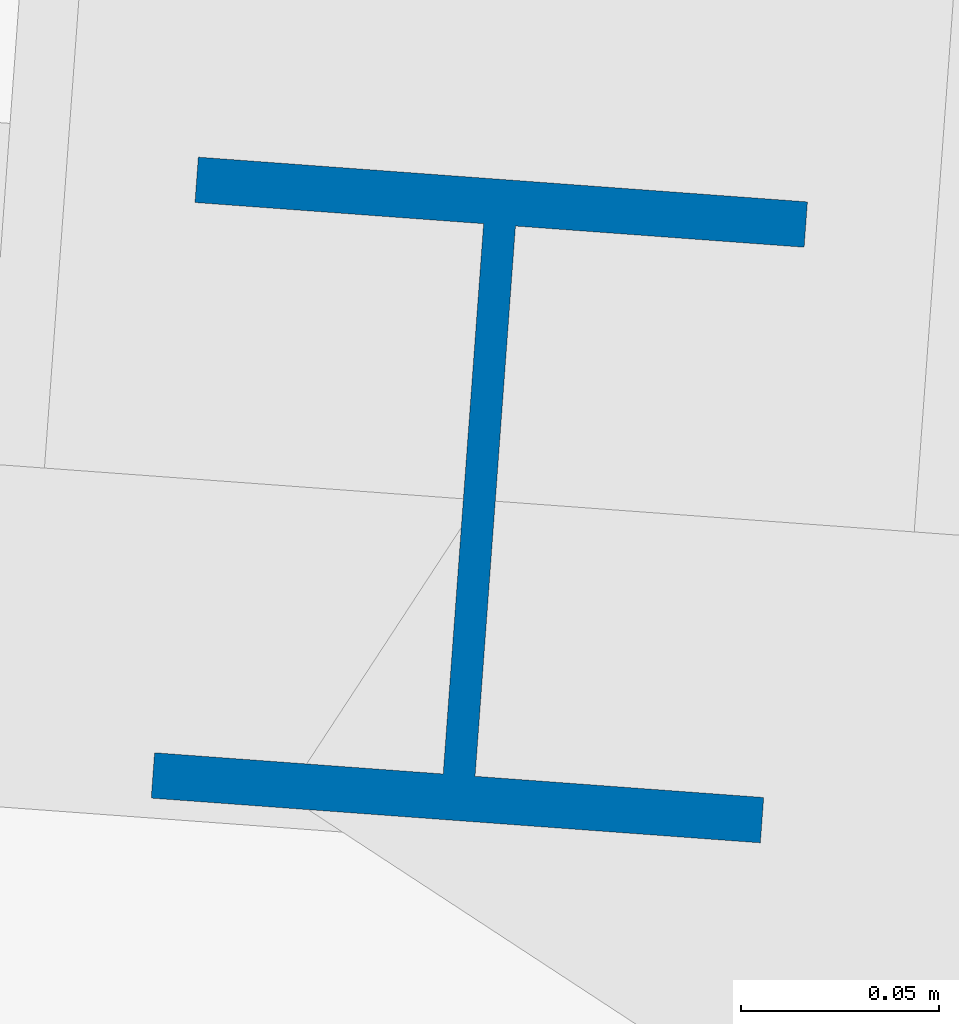
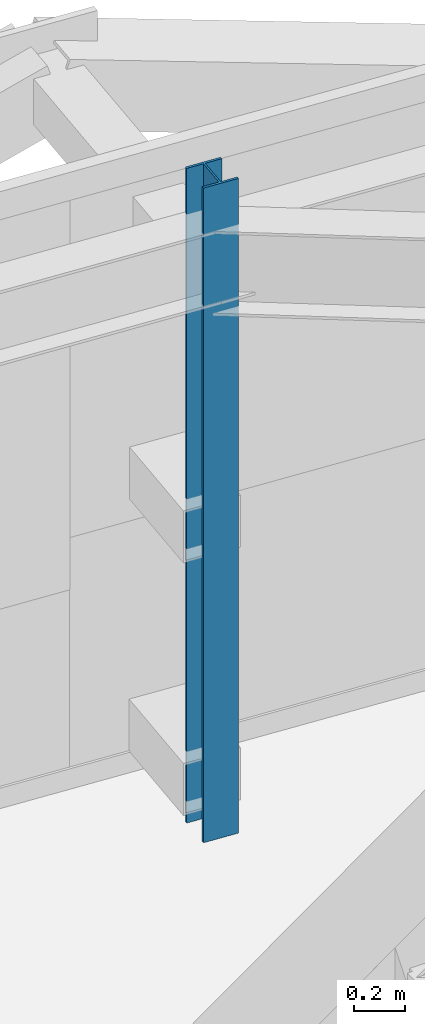
# One storey, part 8 of 34: 1 column.
"""IFC4 building model written with IfcOpenShell, lengths in metres."""

from ifc_helpers import new_model, si_unit, direction, frame, origin, origin_2d, place, context, subcontext, project, spatial, i_section, extrude, source, transform, mapped, material, material_profile, profile_set, type_object, element, save


model = new_model("IFC4")

# Units and contexts
model_context = context("Model", 3, precision=1e-05, world=origin(), true_north=direction((0.0, 1.0)))
body_context = subcontext(model_context, "Body", "Model", "MODEL_VIEW")
ifc_project = project(units=[si_unit("LENGTHUNIT", "METRE"), si_unit("AREAUNIT", "SQUARE_METRE"), si_unit("VOLUMEUNIT", "CUBIC_METRE"), si_unit("PLANEANGLEUNIT", "RADIAN"), si_unit("MASSUNIT", "GRAM", prefix="KILO")], contexts=[model_context])

# Site, building, storey
site_placement = place(None, origin())
site = spatial("IfcSite", under=ifc_project, at=site_placement, CompositionType="ELEMENT")
building_placement = place(site_placement, origin())
building = spatial("IfcBuilding", under=site, at=building_placement, Name="Taldren Reach Tower", CompositionType="ELEMENT")
storey_placement = place(building_placement, frame((0.0, 0.0, 239.75)))
storey = spatial("IfcBuildingStorey", under=building, at=storey_placement, Name="L73", CompositionType="ELEMENT", Elevation=239.75)

# Column
ifc_material = material(Name="Steel Gr 350 (350PLUS)", Category="steel")
ifc_material_profile = material_profile(ifc_material, i_section(OverallWidth=0.154052734375, OverallDepth=0.162109375, WebThickness=0.008056640625, FlangeThickness=0.011474609375, at=origin_2d()), Name="150UC37.2")
ifc_profile_set = profile_set([ifc_material_profile], Name="Steel Gr 350 (350PLUS)")
column_type = type_object("IfcColumnType", Name="COL-UC150", PredefinedType="COLUMN", material=ifc_profile_set)
shared_shape = source(origin(), body_context, "Body", "SweptSolid", [
    extrude(i_section(OverallWidth=0.154052734375, OverallDepth=0.162109375, WebThickness=0.008056640625, FlangeThickness=0.011474609375, at=origin_2d()), origin(), (0.0, 0.0, 1.0), 3.14990234375),
])
column_placement = place(storey_placement, frame((47.199462890625, 34.487548828125, 0.0), z_axis=(0.0, 0.0, 1.0), x_axis=(0.997314477224, -0.073238197128, 0.0)))
element("IfcColumn", 1, at=column_placement, inside=storey, type_object=column_type, Name="Block B5 perimeter column N5 L73", PredefinedType="COLUMN", context=body_context, shape_type="MappedRepresentation", body=[
    mapped(shared_shape, transform((0.0, 0.0, 0.0), scale=1.0)),
])

save(model, "model.ifc")
